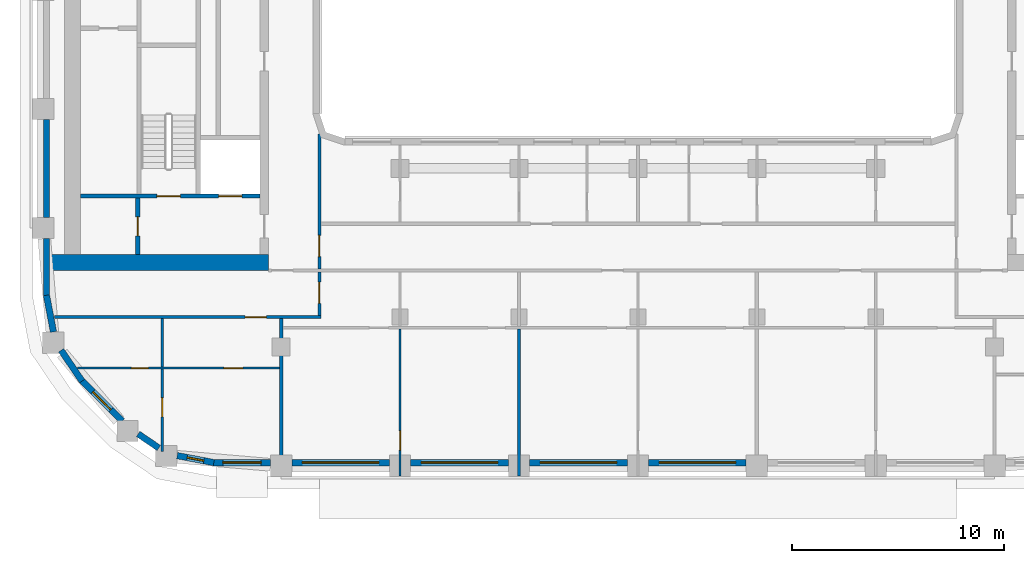
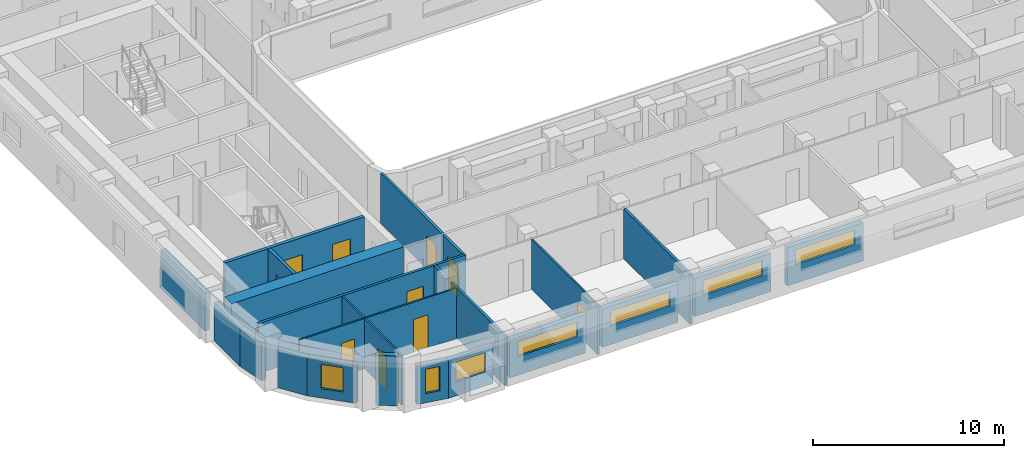
# One storey, part 2 of 22: 24 walls, 10 doors, 7 windows, 17 openings.
"""IFC4 building model written with IfcOpenShell, lengths in metres."""

import ifcopenshell
import ifcopenshell.guid

model = None  # the IFC model being written
_history = None  # IfcOwnerHistory: only IFC2X3 demands one
_inside = {}  # id of a spatial element -> (the spatial element, [elements in it])
_under = {}  # id of a project, library or spatial element -> (it, [spatial elements below it])
_declared = {}  # id of a project -> (the project, [libraries it declares])
_typed = {}  # id of a type object -> (the type object, [elements of that type])
_made_of = {}  # id of a material, layer set ... -> (it, [elements and type objects made of it])


def new_model(schema):
    """Start an empty IFC model of exactly this schema.

    Asked for "IFC4X3", IfcOpenShell would pick the latest addendum, in which some entities
    have other attributes; the version numbers below select the first issue.
    IFC2X3 requires an IfcOwnerHistory on every rooted entity: one is made here for all.
    """
    global model, _history
    if schema == "IFC4X3":
        model = ifcopenshell.file(schema_version=(4, 3, 0, 0))
    else:
        model = ifcopenshell.file(schema=schema)
    _inside.clear()
    _under.clear()
    _declared.clear()
    _typed.clear()
    _made_of.clear()
    _history = None
    if model.schema == "IFC2X3":
        org = make("IfcOrganization", Name="unknown")
        user = make(
            "IfcPersonAndOrganization",
            ThePerson=make("IfcPerson", FamilyName="unknown"),
            TheOrganization=org,
        )
        app = make(
            "IfcApplication",
            ApplicationDeveloper=org,
            Version="unknown",
            ApplicationFullName="unknown",
            ApplicationIdentifier="unknown",
        )
        _history = make(
            "IfcOwnerHistory",
            OwningUser=user,
            OwningApplication=app,
            ChangeAction="ADDED",
            CreationDate=0,
        )
    return model


def make(cls, **values):
    """One entity of the class cls with the attributes given. An attribute that is None is left unset."""
    return model.create_entity(
        cls, **{name: value for name, value in values.items() if value is not None}
    )


def rooted(cls, **values):
    """An entity with a GlobalId (a new one), such as an element, a storey or a relation."""
    return make(cls, GlobalId=ifcopenshell.guid.new(), OwnerHistory=_history, **values)


def si_unit(unit_type, name, prefix=None):
    """IfcSIUnit, for example si_unit("LENGTHUNIT", "METRE", prefix="MILLI")."""
    return make("IfcSIUnit", UnitType=unit_type, Prefix=prefix, Name=name)


def assignment(units):
    """IfcUnitAssignment: the units of a project."""
    return None if units is None else make("IfcUnitAssignment", Units=units)


def point(xyz):
    """IfcCartesianPoint."""
    return None if xyz is None else make("IfcCartesianPoint", Coordinates=xyz)


def direction(xyz):
    """IfcDirection."""
    return None if xyz is None else make("IfcDirection", DirectionRatios=xyz)


def frame(location, z_axis=None, x_axis=None):
    """IfcAxis2Placement3D, a coordinate frame: its origin and axes. An axis left out is left unset."""
    return make(
        "IfcAxis2Placement3D",
        Location=point(location),
        Axis=direction(z_axis),
        RefDirection=direction(x_axis),
    )


def frame_2d(location, x_axis=None):
    """IfcAxis2Placement2D, a coordinate frame in the plane: its origin and x axis."""
    return make(
        "IfcAxis2Placement2D", Location=point(location), RefDirection=direction(x_axis)
    )


def origin():
    """The frame at (0, 0, 0) with its axes left unset."""
    return frame((0.0, 0.0, 0.0))


def place(relative_to, where):
    """IfcLocalPlacement: puts the frame where relative to a parent placement (None: the world)."""
    return make(
        "IfcLocalPlacement", PlacementRelTo=relative_to, RelativePlacement=where
    )


def context(
    kind, dimensions, precision=None, world=None, true_north=None, identifier=None
):
    """IfcGeometricRepresentationContext, for example the 3D "Model" context."""
    return make(
        "IfcGeometricRepresentationContext",
        ContextIdentifier=identifier,
        ContextType=kind,
        CoordinateSpaceDimension=dimensions,
        Precision=precision,
        WorldCoordinateSystem=world,
        TrueNorth=true_north,
    )


def subcontext(parent, identifier, kind, view, scale=None):
    """IfcGeometricRepresentationSubContext, for example "Body" below "Model"."""
    return make(
        "IfcGeometricRepresentationSubContext",
        ContextIdentifier=identifier,
        ContextType=kind,
        ParentContext=parent,
        TargetScale=scale,
        TargetView=view,
    )


def project(units=None, contexts=None):
    """IfcProject with its units and contexts."""
    return rooted(
        "IfcProject",
        Name="project",
        RepresentationContexts=contexts,
        UnitsInContext=assignment(units),
    )


def spatial(cls, under=None, at=None, **own):
    """A site, building, storey or space (cls), placed at a placement, below another one or the project."""
    s = rooted(cls, ObjectPlacement=at, **own)
    if under is not None:
        _under.setdefault(under.id(), (under, []))[1].append(s)
    return s


def profile(cls, at=None, kind="AREA", **sizes):
    """A parametric profile (cls). Its sizes go by their IFC names, for example OverallWidth=200.0."""
    return make(cls, ProfileType=kind, Position=at, **sizes)


def rectangle(**sizes):
    """IfcRectangleProfileDef."""
    return profile("IfcRectangleProfileDef", **sizes)


def extrude(swept, where, along, depth):
    """IfcExtrudedAreaSolid: the profile swept, set in the frame where, extruded along a direction by depth."""
    return make(
        "IfcExtrudedAreaSolid",
        SweptArea=swept,
        Position=where,
        ExtrudedDirection=direction(along),
        Depth=depth,
    )


def shape(context_of_items, identifier, shape_type, items):
    """IfcShapeRepresentation: the items that make up one representation, for example the "Body"."""
    return make(
        "IfcShapeRepresentation",
        ContextOfItems=context_of_items,
        RepresentationIdentifier=identifier,
        RepresentationType=shape_type,
        Items=items,
    )


def material(Name=None, Category=None):
    """IfcMaterial."""
    return make("IfcMaterial", Name=Name, Category=Category)


def layer(
    of_material, thickness, ventilated=None, Name=None, Category=None, Priority=None
):
    """IfcMaterialLayer: one layer of a wall or slab, of a material (None: an air gap)."""
    return make(
        "IfcMaterialLayer",
        Material=of_material,
        LayerThickness=thickness,
        IsVentilated=ventilated,
        Name=Name,
        Category=Category,
        Priority=Priority,
    )


def layer_set(layers, Name=None):
    """IfcMaterialLayerSet."""
    return make("IfcMaterialLayerSet", MaterialLayers=layers, LayerSetName=Name)


def made_of(thing, what):
    """Note that an element or type object is made of a material, layer set ...; save() writes the relation."""
    if what is not None:
        _made_of.setdefault(what.id(), (what, []))[1].append(thing)
    return thing


def type_object(cls, material=None, **own):
    """A type object (cls), such as IfcWallType, which elements share."""
    return made_of(rooted(cls, **own), material)


def element(
    cls,
    number,
    at=None,
    inside=None,
    cuts=None,
    type_object=None,
    material=None,
    context=None,
    identifier="Body",
    shape_type=None,
    held_by="IfcProductDefinitionShape",
    body=None,
    shapes=None,
    **own,
):
    """One element of the class cls, such as IfcWall. Its Tag is "e" and its number.

    at: its placement. inside: the storey or other place that contains it. cuts: it is an
    opening in that element (IfcRelVoidsElement). A single representation is given by context,
    identifier, shape_type and body (its items); several are given by shapes. held_by: the class
    of the entity that holds the representations. save() writes the other relations.
    """
    e = rooted(cls, Tag="e%d" % number, ObjectPlacement=at, **own)
    if body is not None:
        shapes = [shape(context, identifier, shape_type, body)]
    if shapes is not None:
        e.Representation = make(held_by, Representations=shapes)
    if inside is not None:
        _inside.setdefault(inside.id(), (inside, []))[1].append(e)
    if cuts is not None:
        rooted(
            "IfcRelVoidsElement", RelatingBuildingElement=cuts, RelatedOpeningElement=e
        )
    if type_object is not None:
        _typed.setdefault(type_object.id(), (type_object, []))[1].append(e)
    return made_of(e, material)


def fill(opening, filler):
    """IfcRelFillsElement: the door or window that sits in an opening."""
    return rooted(
        "IfcRelFillsElement",
        RelatingOpeningElement=opening,
        RelatedBuildingElement=filler,
    )


def aggregate(whole, parts):
    """IfcRelAggregates: a whole, such as a stair, and the parts it consists of."""
    return rooted("IfcRelAggregates", RelatingObject=whole, RelatedObjects=parts)


def save(model, path):
    """Write the relations noted so far, then the file.

    IfcRelAggregates (storeys below a building ...), IfcRelContainedInSpatialStructure (elements
    in a storey), IfcRelDefinesByType, IfcRelAssociatesMaterial and IfcRelDeclares: one each for
    every whole, place, type object, material and project.
    """
    for whole, parts in _under.values():
        aggregate(whole, parts)
    for where, things in _inside.values():
        rooted(
            "IfcRelContainedInSpatialStructure",
            RelatedElements=things,
            RelatingStructure=where,
        )
    for kind, things in _typed.values():
        rooted("IfcRelDefinesByType", RelatedObjects=things, RelatingType=kind)
    for what, things in _made_of.values():
        rooted("IfcRelAssociatesMaterial", RelatedObjects=things, RelatingMaterial=what)
    for by, libraries in _declared.values():
        rooted("IfcRelDeclares", RelatingContext=by, RelatedDefinitions=libraries)
    model.write(path)


model = new_model("IFC4")

# Units and contexts
model_context = context("Model", 3, precision=1e-05, world=origin(), true_north=direction((0.0, 1.0)))
body_context = subcontext(model_context, "Body", "Model", "MODEL_VIEW")
ifc_project = project(units=[si_unit("LENGTHUNIT", "METRE"), si_unit("AREAUNIT", "SQUARE_METRE"), si_unit("VOLUMEUNIT", "CUBIC_METRE"), si_unit("PLANEANGLEUNIT", "RADIAN"), si_unit("MASSUNIT", "GRAM", prefix="KILO")], contexts=[model_context])

# Site, building, storey
site_placement = place(None, origin())
site = spatial("IfcSite", under=ifc_project, at=site_placement, CompositionType="ELEMENT")
building_placement = place(site_placement, origin())
building = spatial("IfcBuilding", under=site, at=building_placement, Name="Kiln Ring Residences", CompositionType="ELEMENT")
storey_placement = place(building_placement, frame((0.0, 0.0, 171.10009765625)))
storey = spatial("IfcBuildingStorey", under=building, at=storey_placement, Name="L44", CompositionType="ELEMENT", Elevation=171.10009765625)

# Wall, opening, door
ifc_material_1 = material(Name="Gypsum board on steel studs", Category="steel")
ifc_layer_1 = layer(ifc_material_1, 0.199951171875)
ifc_layer_set_1 = layer_set([ifc_layer_1], Name="CORE-PARTITION-200")
wall_type_1 = type_object("IfcWallType", Name="CORE-PARTITION-200", PredefinedType="PARTITIONING", material=ifc_layer_set_1)
wall_1_placement = place(storey_placement, frame((-23.550048828125, -12.449951171875, 0.0), z_axis=(0.0, 0.0, 1.0), x_axis=(0.0, 1.0, 0.0)))
wall_1 = element("IfcWall", 1, at=wall_1_placement, inside=storey, type_object=wall_type_1, Name="Core partition west L44 5", PredefinedType="PARTITIONING", context=body_context, shape_type="SweptSolid", body=[
    extrude(rectangle(XDim=2.64990234375, YDim=0.199951171875, at=frame_2d((1.324951171875, 0.0))), origin(), (0.0, 0.0, 1.0), 3.199951171875),
])
opening_1_placement = place(wall_1_placement, frame((0.875, 0.0, 0.0)))
opening_1 = element("IfcOpeningElement", 2, at=opening_1_placement, cuts=wall_1, Name="Opening L44-CW10", PredefinedType="OPENING", context=body_context, shape_type="SweptSolid", body=[
    extrude(rectangle(XDim=0.89990234375, YDim=2.10009765625, at=frame_2d((0.449951171875, 1.050048828125))), frame((0.0, 0.10986328125, 0.0), z_axis=(0.0, -1.0, 0.0), x_axis=(1.0, 0.0, 0.0)), (0.0, 0.0, 1.0), 0.219970703125),
])
ifc_material_2 = material(Name="Steel door leaf", Category="steel")
door_type_1 = type_object("IfcDoorType", Name="CORE-DOOR-ROOM", OperationType="SINGLE_SWING_LEFT", PredefinedType="DOOR", material=ifc_material_2)
door_1_placement = place(opening_1_placement, origin())
door_1 = element("IfcDoor", 3, at=door_1_placement, inside=storey, type_object=door_type_1, Name="Store L44-CW10", OperationType="SINGLE_SWING_RIGHT", OverallHeight=2.10009765625, OverallWidth=0.89990234375, PredefinedType="DOOR", context=body_context, shape_type="SweptSolid", body=[
    extrude(rectangle(XDim=0.89990234375, YDim=2.10009765625, at=frame_2d((0.449951171875, 1.050048828125))), frame((0.0, 0.02490234375, 0.0), z_axis=(0.0, -1.0, 0.0), x_axis=(1.0, 0.0, 0.0)), (0.0, 0.0, 1.0), 0.050048828125),
])
fill(opening_1, door_1)

# Wall, openings, doors
ifc_material_3 = material(Name="Concrete C40/50", Category="concrete")
ifc_layer_2 = layer(ifc_material_3, 0.199951171875)
ifc_layer_set_2 = layer_set([ifc_layer_2], Name="CORE-WALL-RC200")
wall_type_2 = type_object("IfcWallType", Name="CORE-WALL-RC200", PredefinedType="SHEAR", material=ifc_layer_set_2)
wall_2_placement = place(storey_placement, frame((-17.800048828125, -9.699951171875, 0.0), z_axis=(0.0, 0.0, 1.0), x_axis=(-1.0, 0.0, 0.0)))
wall_2 = element("IfcWall", 4, at=wall_2_placement, inside=storey, type_object=wall_type_2, Name="Core wall west L44 8", PredefinedType="SHEAR", context=body_context, shape_type="SweptSolid", body=[
    extrude(rectangle(XDim=8.449951171875, YDim=0.199951171875, at=frame_2d((4.22509765625, 0.0))), origin(), (0.0, 0.0, 1.0), 3.199951171875),
])
opening_2_placement = place(wall_2_placement, frame((0.85009765625, 0.0, 0.0)))
opening_2 = element("IfcOpeningElement", 5, at=opening_2_placement, cuts=wall_2, Name="Opening L44-CW01", PredefinedType="OPENING", context=body_context, shape_type="SweptSolid", body=[
    extrude(rectangle(XDim=1.10009765625, YDim=2.10009765625, at=frame_2d((0.550048828125, 1.050048828125))), frame((0.0, 0.10986328125, 0.0), z_axis=(0.0, -1.0, 0.0), x_axis=(1.0, 0.0, 0.0)), (0.0, 0.0, 1.0), 0.219970703125),
])
opening_3_placement = place(wall_2_placement, frame((3.75, 0.0, 0.0)))
opening_3 = element("IfcOpeningElement", 6, at=opening_3_placement, cuts=wall_2, Name="Opening L44-CW12", PredefinedType="OPENING", context=body_context, shape_type="SweptSolid", body=[
    extrude(rectangle(XDim=1.10009765625, YDim=2.10009765625, at=frame_2d((0.550048828125, 1.050048828125))), frame((0.0, 0.10986328125, 0.0), z_axis=(0.0, -1.0, 0.0), x_axis=(1.0, 0.0, 0.0)), (0.0, 0.0, 1.0), 0.219970703125),
])
ifc_material_4 = material(Name="Steel door leaf", Category="steel")
door_type_2 = type_object("IfcDoorType", Name="CORE-DOOR-LD", OperationType="DOUBLE_DOOR_SLIDING", PredefinedType="DOOR", material=ifc_material_4)
door_2_placement = place(opening_2_placement, origin())
door_2 = element("IfcDoor", 7, at=door_2_placement, inside=storey, type_object=door_type_2, Name="LD W-SV L44-CW01", OperationType="DOUBLE_DOOR_SLIDING", OverallHeight=2.10009765625, OverallWidth=1.10009765625, PredefinedType="DOOR", context=body_context, shape_type="SweptSolid", body=[
    extrude(rectangle(XDim=1.10009765625, YDim=2.10009765625, at=frame_2d((0.550048828125, 1.050048828125))), frame((0.0, 0.02490234375, 0.0), z_axis=(0.0, -1.0, 0.0), x_axis=(1.0, 0.0, 0.0)), (0.0, 0.0, 1.0), 0.050048828125),
])
fill(opening_2, door_2)
ifc_material_5 = material(Name="Steel door leaf", Category="steel")
door_type_3 = type_object("IfcDoorType", Name="CORE-DOOR-STAIR", OperationType="SINGLE_SWING_LEFT", PredefinedType="DOOR", material=ifc_material_5)
door_3_placement = place(opening_3_placement, origin())
door_3 = element("IfcDoor", 8, at=door_3_placement, inside=storey, type_object=door_type_3, Name="Stair W-STS L44-CW12", OperationType="SINGLE_SWING_LEFT", OverallHeight=2.10009765625, OverallWidth=1.10009765625, PredefinedType="DOOR", context=body_context, shape_type="SweptSolid", body=[
    extrude(rectangle(XDim=1.10009765625, YDim=2.10009765625, at=frame_2d((0.550048828125, 1.050048828125))), frame((0.0, 0.02490234375, 0.0), z_axis=(0.0, -1.0, 0.0), x_axis=(1.0, 0.0, 0.0)), (0.0, 0.0, 1.0), 0.050048828125),
])
fill(opening_3, door_3)

# Wall
ifc_material_6 = material(Name="Concrete C60/75", Category="concrete")
ifc_layer_3 = layer(ifc_material_6, 0.75)
ifc_layer_set_3 = layer_set([ifc_layer_3], Name="CORE-WALL-RC750")
wall_type_3 = type_object("IfcWallType", Name="CORE-WALL-RC750", PredefinedType="SHEAR", material=ifc_layer_set_3)
wall_3_placement = place(storey_placement, frame((-17.39990234375, -12.824951171875, 0.0), z_axis=(0.0, 0.0, 1.0), x_axis=(-1.0, 0.0, 0.0)))
element("IfcWall", 9, at=wall_3_placement, inside=storey, type_object=wall_type_3, Name="Core wall west L44 5", PredefinedType="SHEAR", context=body_context, shape_type="SweptSolid", body=[
    extrude(rectangle(XDim=10.400146484375, YDim=0.75, at=frame_2d((5.2001953125, 0.0))), origin(), (0.0, 0.0, 1.0), 3.199951171875),
])

# Wall, opening, window
ifc_material_7 = material(Name="Brick masonry, dark clay brick", Category="masonry")
ifc_layer_4 = layer(ifc_material_7, 0.300048828125)
ifc_layer_set_4 = layer_set([ifc_layer_4], Name="EW-300 BRICK WALL")
wall_type_4 = type_object("IfcWallType", Name="EW-300 BRICK WALL", PredefinedType="SOLIDWALL", material=ifc_layer_set_4)
wall_4_placement = place(storey_placement, frame((-26.19677734375, -18.390869140625, 0.0), z_axis=(0.0, 0.0, 1.0), x_axis=(0.707061571201, -0.707151988282, 0.0)))
wall_4 = element("IfcWall", 10, at=wall_4_placement, inside=storey, type_object=wall_type_4, Name="Facade wall L44 1", PredefinedType="SOLIDWALL", context=body_context, shape_type="SweptSolid", body=[
    extrude(rectangle(XDim=2.7001953125, YDim=0.300048828125, at=frame_2d((1.35009765625, 0.0))), origin(), (0.0, 0.0, 1.0), 2.449951171875),
])
opening_4_placement = place(wall_4_placement, frame((0.75, 0.0, 0.60009765625)))
opening_4 = element("IfcOpeningElement", 11, at=opening_4_placement, cuts=wall_4, Name="Opening W1", PredefinedType="OPENING", context=body_context, shape_type="SweptSolid", body=[
    extrude(rectangle(XDim=1.199951171875, YDim=1.550048828125, at=frame_2d((0.60009765625, 0.77490234375))), frame((0.0, 0.159912109375, 0.0), z_axis=(0.0, -1.0, 0.0), x_axis=(1.0, 0.0, 0.0)), (0.0, 0.0, 1.0), 0.320068359375),
])
ifc_material_8 = material(Name="Aluminium frame with double glazing", Category="aluminium")
window_type_1 = type_object("IfcWindowType", Name="WINDOW 1200 x 1550", PartitioningType="SINGLE_PANEL", PredefinedType="WINDOW", material=ifc_material_8)
window_1_placement = place(opening_4_placement, origin())
window_1 = element("IfcWindow", 12, at=window_1_placement, inside=storey, type_object=window_type_1, Name="Window L44 1", OverallHeight=1.550048828125, OverallWidth=1.199951171875, PartitioningType="SINGLE_PANEL", PredefinedType="WINDOW", context=body_context, shape_type="SweptSolid", body=[
    extrude(rectangle(XDim=1.199951171875, YDim=1.550048828125, at=frame_2d((0.60009765625, 0.77490234375))), frame((0.0, 0.030029296875, 0.0), z_axis=(0.0, -1.0, 0.0), x_axis=(1.0, 0.0, 0.0)), (0.0, 0.0, 1.0), 0.06005859375),
])
fill(opening_4, window_1)

# Wall
wall_5_placement = place(storey_placement, frame((-23.533935546875, -20.904296875, 0.0), z_axis=(0.0, 0.0, 1.0), x_axis=(0.827103906596, -0.56204904385, 0.0)))
element("IfcWall", 13, at=wall_5_placement, inside=storey, type_object=wall_type_4, Name="Facade wall L44 2", PredefinedType="SOLIDWALL", context=body_context, shape_type="SweptSolid", body=[
    extrude(rectangle(XDim=1.17724609375, YDim=0.300048828125, at=frame_2d((0.588623046875, 0.0))), origin(), (0.0, 0.0, 1.0), 3.199951171875),
])

# Wall, opening, window
wall_6_placement = place(storey_placement, frame((-21.697021484375, -21.923583984375, 0.0), z_axis=(0.0, 0.0, 1.0), x_axis=(0.982284988433, -0.187393173565, 0.0)))
wall_6 = element("IfcWall", 14, at=wall_6_placement, inside=storey, type_object=wall_type_4, Name="Facade wall L44 3", PredefinedType="SOLIDWALL", context=body_context, shape_type="SweptSolid", body=[
    extrude(rectangle(XDim=1.756103515625, YDim=0.300048828125, at=frame_2d((0.8779296875, 0.0))), origin(), (0.0, 0.0, 1.0), 2.449951171875),
])
opening_5_placement = place(wall_6_placement, frame((0.47802734375, 0.0, 0.60009765625)))
opening_5 = element("IfcOpeningElement", 15, at=opening_5_placement, cuts=wall_6, Name="Opening W5", PredefinedType="OPENING", context=body_context, shape_type="SweptSolid", body=[
    extrude(rectangle(XDim=0.800048828125, YDim=1.550048828125, at=frame_2d((0.39990234375, 0.77490234375))), frame((0.0, 0.159912109375, 0.0), z_axis=(0.0, -1.0, 0.0), x_axis=(1.0, 0.0, 0.0)), (0.0, 0.0, 1.0), 0.320068359375),
])
ifc_material_9 = material(Name="Aluminium frame with double glazing", Category="aluminium")
window_type_2 = type_object("IfcWindowType", Name="WINDOW 800 x 1550", PartitioningType="SINGLE_PANEL", PredefinedType="WINDOW", material=ifc_material_9)
window_2_placement = place(opening_5_placement, origin())
window_2 = element("IfcWindow", 16, at=window_2_placement, inside=storey, type_object=window_type_2, Name="Window L44 2", OverallHeight=1.550048828125, OverallWidth=0.800048828125, PartitioningType="SINGLE_PANEL", PredefinedType="WINDOW", context=body_context, shape_type="SweptSolid", body=[
    extrude(rectangle(XDim=0.800048828125, YDim=1.550048828125, at=frame_2d((0.39990234375, 0.77490234375))), frame((0.0, 0.030029296875, 0.0), z_axis=(0.0, -1.0, 0.0), x_axis=(1.0, 0.0, 0.0)), (0.0, 0.0, 1.0), 0.06005859375),
])
fill(opening_5, window_2)

wall_7_placement = place(storey_placement, frame((-20.0, -22.25, 0.0), z_axis=(0.0, 0.0, 1.0), x_axis=(1.0, 0.0, 0.0)))
wall_7 = element("IfcWall", 17, at=wall_7_placement, inside=storey, type_object=wall_type_4, Name="Facade wall L44 4", PredefinedType="SOLIDWALL", context=body_context, shape_type="SweptSolid", body=[
    extrude(rectangle(XDim=2.699951171875, YDim=0.300048828125, at=frame_2d((1.35009765625, 0.0))), origin(), (0.0, 0.0, 1.0), 2.449951171875),
])
opening_6_placement = place(wall_7_placement, frame((0.449951171875, 0.0, 0.89990234375)))
opening_6 = element("IfcOpeningElement", 18, at=opening_6_placement, cuts=wall_7, Name="Opening W2", PredefinedType="OPENING", context=body_context, shape_type="SweptSolid", body=[
    extrude(rectangle(XDim=1.800048828125, YDim=1.25, at=frame_2d((0.89990234375, 0.625))), frame((0.0, 0.159912109375, 0.0), z_axis=(0.0, -1.0, 0.0), x_axis=(1.0, 0.0, 0.0)), (0.0, 0.0, 1.0), 0.320068359375),
])
ifc_material_10 = material(Name="Aluminium frame with double glazing", Category="aluminium")
window_type_3 = type_object("IfcWindowType", Name="WINDOW 1800 x 1250", PartitioningType="SINGLE_PANEL", PredefinedType="WINDOW", material=ifc_material_10)
window_3_placement = place(opening_6_placement, origin())
window_3 = element("IfcWindow", 19, at=window_3_placement, inside=storey, type_object=window_type_3, Name="Window L44 3", OverallHeight=1.25, OverallWidth=1.800048828125, PartitioningType="SINGLE_PANEL", PredefinedType="WINDOW", context=body_context, shape_type="SweptSolid", body=[
    extrude(rectangle(XDim=1.800048828125, YDim=1.25, at=frame_2d((0.89990234375, 0.625))), frame((0.0, 0.030029296875, 0.0), z_axis=(0.0, -1.0, 0.0), x_axis=(1.0, 0.0, 0.0)), (0.0, 0.0, 1.0), 0.06005859375),
])
fill(opening_6, window_3)

wall_8_placement = place(storey_placement, frame((-16.300048828125, -22.25, 0.0), z_axis=(0.0, 0.0, 1.0), x_axis=(1.0, 0.0, 0.0)))
wall_8 = element("IfcWall", 20, at=wall_8_placement, inside=storey, type_object=wall_type_4, Name="Facade wall L44 5", PredefinedType="SOLIDWALL", context=body_context, shape_type="SweptSolid", body=[
    extrude(rectangle(XDim=4.60009765625, YDim=0.300048828125, at=frame_2d((2.300048828125, 0.0))), origin(), (0.0, 0.0, 1.0), 2.449951171875),
])
opening_7_placement = place(wall_8_placement, frame((0.5, 0.0, 1.199951171875)))
opening_7 = element("IfcOpeningElement", 21, at=opening_7_placement, cuts=wall_8, Name="Opening W4", PredefinedType="OPENING", context=body_context, shape_type="SweptSolid", body=[
    extrude(rectangle(XDim=3.60009765625, YDim=0.949951171875, at=frame_2d((1.800048828125, 0.47509765625))), frame((0.0, 0.159912109375, 0.0), z_axis=(0.0, -1.0, 0.0), x_axis=(1.0, 0.0, 0.0)), (0.0, 0.0, 1.0), 0.320068359375),
])
ifc_material_11 = material(Name="Aluminium frame with double glazing", Category="aluminium")
window_type_4 = type_object("IfcWindowType", Name="WINDOW 3600 x 950", PartitioningType="SINGLE_PANEL", PredefinedType="WINDOW", material=ifc_material_11)
window_4_placement = place(opening_7_placement, origin())
window_4 = element("IfcWindow", 22, at=window_4_placement, inside=storey, type_object=window_type_4, Name="Window L44 4", OverallHeight=0.949951171875, OverallWidth=3.60009765625, PartitioningType="SINGLE_PANEL", PredefinedType="WINDOW", context=body_context, shape_type="SweptSolid", body=[
    extrude(rectangle(XDim=3.60009765625, YDim=0.949951171875, at=frame_2d((1.800048828125, 0.47509765625))), frame((0.0, 0.030029296875, 0.0), z_axis=(0.0, -1.0, 0.0), x_axis=(1.0, 0.0, 0.0)), (0.0, 0.0, 1.0), 0.06005859375),
])
fill(opening_7, window_4)

wall_9_placement = place(storey_placement, frame((-10.699951171875, -22.25, 0.0), z_axis=(0.0, 0.0, 1.0), x_axis=(1.0, 0.0, 0.0)))
wall_9 = element("IfcWall", 23, at=wall_9_placement, inside=storey, type_object=wall_type_4, Name="Facade wall L44 6", PredefinedType="SOLIDWALL", context=body_context, shape_type="SweptSolid", body=[
    extrude(rectangle(XDim=4.599853515625, YDim=0.300048828125, at=frame_2d((2.2998046875, 0.0))), origin(), (0.0, 0.0, 1.0), 2.449951171875),
])
opening_8_placement = place(wall_9_placement, frame((0.5, 0.0, 1.199951171875)))
opening_8 = element("IfcOpeningElement", 24, at=opening_8_placement, cuts=wall_9, Name="Opening W4", PredefinedType="OPENING", context=body_context, shape_type="SweptSolid", body=[
    extrude(rectangle(XDim=3.60009765625, YDim=0.949951171875, at=frame_2d((1.800048828125, 0.47509765625))), frame((0.0, 0.159912109375, 0.0), z_axis=(0.0, -1.0, 0.0), x_axis=(1.0, 0.0, 0.0)), (0.0, 0.0, 1.0), 0.320068359375),
])
window_5_placement = place(opening_8_placement, origin())
window_5 = element("IfcWindow", 25, at=window_5_placement, inside=storey, type_object=window_type_4, Name="Window L44 5", OverallHeight=0.949951171875, OverallWidth=3.60009765625, PartitioningType="SINGLE_PANEL", PredefinedType="WINDOW", context=body_context, shape_type="SweptSolid", body=[
    extrude(rectangle(XDim=3.60009765625, YDim=0.949951171875, at=frame_2d((1.800048828125, 0.47509765625))), frame((0.0, 0.030029296875, 0.0), z_axis=(0.0, -1.0, 0.0), x_axis=(1.0, 0.0, 0.0)), (0.0, 0.0, 1.0), 0.06005859375),
])
fill(opening_8, window_5)

wall_10_placement = place(storey_placement, frame((-5.10009765625, -22.25, 0.0), z_axis=(0.0, 0.0, 1.0), x_axis=(1.0, 0.0, 0.0)))
wall_10 = element("IfcWall", 26, at=wall_10_placement, inside=storey, type_object=wall_type_4, Name="Facade wall L44 7", PredefinedType="SOLIDWALL", context=body_context, shape_type="SweptSolid", body=[
    extrude(rectangle(XDim=4.60009765625, YDim=0.300048828125, at=frame_2d((2.300048828125, 0.0))), origin(), (0.0, 0.0, 1.0), 2.449951171875),
])
opening_9_placement = place(wall_10_placement, frame((0.5, 0.0, 1.199951171875)))
opening_9 = element("IfcOpeningElement", 27, at=opening_9_placement, cuts=wall_10, Name="Opening W4", PredefinedType="OPENING", context=body_context, shape_type="SweptSolid", body=[
    extrude(rectangle(XDim=3.60009765625, YDim=0.949951171875, at=frame_2d((1.800048828125, 0.47509765625))), frame((0.0, 0.159912109375, 0.0), z_axis=(0.0, -1.0, 0.0), x_axis=(1.0, 0.0, 0.0)), (0.0, 0.0, 1.0), 0.320068359375),
])
window_6_placement = place(opening_9_placement, origin())
window_6 = element("IfcWindow", 28, at=window_6_placement, inside=storey, type_object=window_type_4, Name="Window L44 6", OverallHeight=0.949951171875, OverallWidth=3.60009765625, PartitioningType="SINGLE_PANEL", PredefinedType="WINDOW", context=body_context, shape_type="SweptSolid", body=[
    extrude(rectangle(XDim=3.60009765625, YDim=0.949951171875, at=frame_2d((1.800048828125, 0.47509765625))), frame((0.0, 0.030029296875, 0.0), z_axis=(0.0, -1.0, 0.0), x_axis=(1.0, 0.0, 0.0)), (0.0, 0.0, 1.0), 0.06005859375),
])
fill(opening_9, window_6)

wall_11_placement = place(storey_placement, frame((0.5, -22.25, 0.0), z_axis=(0.0, 0.0, 1.0), x_axis=(1.0, 0.0, 0.0)))
wall_11 = element("IfcWall", 29, at=wall_11_placement, inside=storey, type_object=wall_type_4, Name="Facade wall L44 8", PredefinedType="SOLIDWALL", context=body_context, shape_type="SweptSolid", body=[
    extrude(rectangle(XDim=4.60009765625, YDim=0.300048828125, at=frame_2d((2.300048828125, 0.0))), origin(), (0.0, 0.0, 1.0), 2.449951171875),
])
opening_10_placement = place(wall_11_placement, frame((0.5, 0.0, 1.199951171875)))
opening_10 = element("IfcOpeningElement", 30, at=opening_10_placement, cuts=wall_11, Name="Opening W4", PredefinedType="OPENING", context=body_context, shape_type="SweptSolid", body=[
    extrude(rectangle(XDim=3.60009765625, YDim=0.949951171875, at=frame_2d((1.800048828125, 0.47509765625))), frame((0.0, 0.159912109375, 0.0), z_axis=(0.0, -1.0, 0.0), x_axis=(1.0, 0.0, 0.0)), (0.0, 0.0, 1.0), 0.320068359375),
])
window_7_placement = place(opening_10_placement, origin())
window_7 = element("IfcWindow", 31, at=window_7_placement, inside=storey, type_object=window_type_4, Name="Window L44 7", OverallHeight=0.949951171875, OverallWidth=3.60009765625, PartitioningType="SINGLE_PANEL", PredefinedType="WINDOW", context=body_context, shape_type="SweptSolid", body=[
    extrude(rectangle(XDim=3.60009765625, YDim=0.949951171875, at=frame_2d((1.800048828125, 0.47509765625))), frame((0.0, 0.030029296875, 0.0), z_axis=(0.0, -1.0, 0.0), x_axis=(1.0, 0.0, 0.0)), (0.0, 0.0, 1.0), 0.06005859375),
])
fill(opening_10, window_7)

# Walls
wall_12_placement = place(storey_placement, frame((-27.85009765625, -6.10009765625, 0.0), z_axis=(0.0, 0.0, 1.0), x_axis=(0.0, -1.0, 0.0)))
element("IfcWall", 32, at=wall_12_placement, inside=storey, type_object=wall_type_4, Name="Facade wall L44 45", PredefinedType="SOLIDWALL", context=body_context, shape_type="SweptSolid", body=[
    extrude(rectangle(XDim=4.599853515625, YDim=0.300048828125, at=frame_2d((2.2998046875, 0.0))), origin(), (0.0, 0.0, 1.0), 2.449951171875),
])
wall_13_placement = place(storey_placement, frame((-27.85009765625, -11.699951171875, 0.0), z_axis=(0.0, 0.0, 1.0), x_axis=(0.0, -1.0, 0.0)))
element("IfcWall", 33, at=wall_13_placement, inside=storey, type_object=wall_type_4, Name="Facade wall L44 46", PredefinedType="SOLIDWALL", context=body_context, shape_type="SweptSolid", body=[
    extrude(rectangle(XDim=2.699951171875, YDim=0.300048828125, at=frame_2d((1.35009765625, 0.0))), origin(), (0.0, 0.0, 1.0), 2.449951171875),
])
for number, where, z_axis, x_axis, name in (
    (34, (-27.8525390625, -14.371826171875, 0.0), (0.0, 0.0, 1.0), (0.187259034321, -0.982310569049, 0.0), "Facade wall L44 47"),
    (35, (-27.166015625, -16.96044921875, 0.0), (0.0, 0.0, 1.0), (0.562089443061, -0.82707645233, 0.0), "Facade wall L44 48"),
):
    element("IfcWall", number, at=place(storey_placement, frame(where, z_axis=z_axis, x_axis=x_axis)), inside=storey, type_object=wall_type_4, Name=name, PredefinedType="SOLIDWALL", context=body_context, shape_type="SweptSolid", body=[
        extrude(rectangle(XDim=1.756103515625, YDim=0.300048828125, at=frame_2d((0.8779296875, 0.0))), origin(), (0.0, 0.0, 1.0), 2.449951171875),
    ])

# Wall, openings, doors
ifc_material_12 = material(Name="Gypsum board on steel studs", Category="steel")
ifc_layer_5 = layer(ifc_material_12, 0.10009765625)
ifc_layer_set_5 = layer_set([ifc_layer_5], Name="PARTITION-100")
wall_type_5 = type_object("IfcWallType", Name="PARTITION-100", PredefinedType="PARTITIONING", material=ifc_layer_set_5)
wall_14_placement = place(storey_placement, frame((-26.39404296875, -17.800048828125, 0.0), z_axis=(0.0, 0.0, 1.0), x_axis=(1.0, 0.0, 0.0)))
wall_14 = element("IfcWall", 36, at=wall_14_placement, inside=storey, type_object=wall_type_5, Name="Partition 001", PredefinedType="PARTITIONING", context=body_context, shape_type="SweptSolid", body=[
    extrude(rectangle(XDim=9.51904296875, YDim=0.10009765625, at=frame_2d((4.759521484375, 0.0))), origin(), (0.0, 0.0, 1.0), 3.199951171875),
])
opening_11_placement = place(wall_14_placement, frame((2.5439453125, 0.0, 0.0)))
opening_11 = element("IfcOpeningElement", 37, at=opening_11_placement, cuts=wall_14, Name="Opening L44-D069", PredefinedType="OPENING", context=body_context, shape_type="SweptSolid", body=[
    extrude(rectangle(XDim=0.800048828125, YDim=2.10009765625, at=frame_2d((0.39990234375, 1.050048828125))), frame((0.0, 0.06005859375, 0.0), z_axis=(0.0, -1.0, 0.0), x_axis=(1.0, 0.0, 0.0)), (0.0, 0.0, 1.0), 0.1201171875),
])
opening_12_placement = place(wall_14_placement, frame((6.89404296875, 0.0, 0.0)))
opening_12 = element("IfcOpeningElement", 38, at=opening_12_placement, cuts=wall_14, Name="Opening L44-D070", PredefinedType="OPENING", context=body_context, shape_type="SweptSolid", body=[
    extrude(rectangle(XDim=0.89990234375, YDim=2.10009765625, at=frame_2d((0.449951171875, 1.050048828125))), frame((0.0, 0.06005859375, 0.0), z_axis=(0.0, -1.0, 0.0), x_axis=(1.0, 0.0, 0.0)), (0.0, 0.0, 1.0), 0.1201171875),
])
ifc_material_13 = material(Name="Timber door leaf", Category="wood")
door_type_4 = type_object("IfcDoorType", Name="FLAT-DOOR-800-PL", OperationType="SINGLE_SWING_LEFT", PredefinedType="DOOR", material=ifc_material_13)
door_4_placement = place(opening_11_placement, origin())
door_4 = element("IfcDoor", 39, at=door_4_placement, inside=storey, type_object=door_type_4, Name="Door L44-D069", OperationType="SINGLE_SWING_LEFT", OverallHeight=2.10009765625, OverallWidth=0.800048828125, PredefinedType="DOOR", context=body_context, shape_type="SweptSolid", body=[
    extrude(rectangle(XDim=0.800048828125, YDim=2.10009765625, at=frame_2d((0.39990234375, 1.050048828125))), frame((0.0, 0.02490234375, 0.0), z_axis=(0.0, -1.0, 0.0), x_axis=(1.0, 0.0, 0.0)), (0.0, 0.0, 1.0), 0.050048828125),
])
fill(opening_11, door_4)
ifc_material_14 = material(Name="Timber door leaf", Category="wood")
door_type_5 = type_object("IfcDoorType", Name="FLAT-DOOR-900-PL", OperationType="SINGLE_SWING_LEFT", PredefinedType="DOOR", material=ifc_material_14)
door_5_placement = place(opening_12_placement, origin())
door_5 = element("IfcDoor", 40, at=door_5_placement, inside=storey, type_object=door_type_5, Name="Door L44-D070", OperationType="SINGLE_SWING_RIGHT", OverallHeight=2.10009765625, OverallWidth=0.89990234375, PredefinedType="DOOR", context=body_context, shape_type="SweptSolid", body=[
    extrude(rectangle(XDim=0.89990234375, YDim=2.10009765625, at=frame_2d((0.449951171875, 1.050048828125))), frame((0.0, 0.02490234375, 0.0), z_axis=(0.0, -1.0, 0.0), x_axis=(1.0, 0.0, 0.0)), (0.0, 0.0, 1.0), 0.050048828125),
])
fill(opening_12, door_5)

# Wall, opening, door
wall_15_placement = place(storey_placement, frame((-22.39990234375, -21.719970703125, 0.0), z_axis=(0.0, 0.0, 1.0), x_axis=(0.0, 1.0, 0.0)))
wall_15 = element("IfcWall", 41, at=wall_15_placement, inside=storey, type_object=wall_type_5, Name="Partition 014", PredefinedType="PARTITIONING", context=body_context, shape_type="SweptSolid", body=[
    extrude(rectangle(XDim=3.869873046875, YDim=0.10009765625, at=frame_2d((1.93505859375, 0.0))), origin(), (0.0, 0.0, 1.0), 3.199951171875),
])
opening_13_placement = place(wall_15_placement, frame((1.6201171875, 0.0, 0.0)))
opening_13 = element("IfcOpeningElement", 42, at=opening_13_placement, cuts=wall_15, Name="Opening L44-D071", PredefinedType="OPENING", context=body_context, shape_type="SweptSolid", body=[
    extrude(rectangle(XDim=0.89990234375, YDim=2.10009765625, at=frame_2d((0.449951171875, 1.050048828125))), frame((0.0, 0.06005859375, 0.0), z_axis=(0.0, -1.0, 0.0), x_axis=(1.0, 0.0, 0.0)), (0.0, 0.0, 1.0), 0.1201171875),
])
door_6_placement = place(opening_13_placement, origin())
door_6 = element("IfcDoor", 43, at=door_6_placement, inside=storey, type_object=door_type_5, Name="Door L44-D071", OperationType="SINGLE_SWING_LEFT", OverallHeight=2.10009765625, OverallWidth=0.89990234375, PredefinedType="DOOR", context=body_context, shape_type="SweptSolid", body=[
    extrude(rectangle(XDim=0.89990234375, YDim=2.10009765625, at=frame_2d((0.449951171875, 1.050048828125))), frame((0.0, 0.02490234375, 0.0), z_axis=(0.0, -1.0, 0.0), x_axis=(1.0, 0.0, 0.0)), (0.0, 0.0, 1.0), 0.050048828125),
])
fill(opening_13, door_6)

# Wall
wall_16_placement = place(storey_placement, frame((-22.39990234375, -17.75, 0.0), z_axis=(0.0, 0.0, 1.0), x_axis=(0.0, 1.0, 0.0)))
element("IfcWall", 44, at=wall_16_placement, inside=storey, type_object=wall_type_5, Name="Partition 015", PredefinedType="PARTITIONING", context=body_context, shape_type="SweptSolid", body=[
    extrude(rectangle(XDim=2.27490234375, YDim=0.10009765625, at=frame_2d((1.137451171875, 0.0))), origin(), (0.0, 0.0, 1.0), 3.199951171875),
])

# Wall, opening, door
wall_17_placement = place(storey_placement, frame((-11.199951171875, -22.8798828125, 0.0), z_axis=(0.0, 0.0, 1.0), x_axis=(0.0, 1.0, 0.0)))
wall_17 = element("IfcWall", 45, at=wall_17_placement, inside=storey, type_object=wall_type_5, Name="Partition 026", PredefinedType="PARTITIONING", context=body_context, shape_type="SweptSolid", body=[
    extrude(rectangle(XDim=6.929931640625, YDim=0.10009765625, at=frame_2d((3.46484375, 0.0))), origin(), (0.0, 0.0, 1.0), 3.199951171875),
])
opening_14_placement = place(wall_17_placement, frame((1.219970703125, 0.0, 0.0)))
opening_14 = element("IfcOpeningElement", 46, at=opening_14_placement, cuts=wall_17, Name="Opening L44-D055", PredefinedType="OPENING", context=body_context, shape_type="SweptSolid", body=[
    extrude(rectangle(XDim=0.89990234375, YDim=2.10009765625, at=frame_2d((0.449951171875, 1.050048828125))), frame((0.0, 0.06005859375, 0.0), z_axis=(0.0, -1.0, 0.0), x_axis=(1.0, 0.0, 0.0)), (0.0, 0.0, 1.0), 0.1201171875),
])
door_7_placement = place(opening_14_placement, origin())
door_7 = element("IfcDoor", 47, at=door_7_placement, inside=storey, type_object=door_type_5, Name="Door L44-D055", OperationType="SINGLE_SWING_LEFT", OverallHeight=2.10009765625, OverallWidth=0.89990234375, PredefinedType="DOOR", context=body_context, shape_type="SweptSolid", body=[
    extrude(rectangle(XDim=0.89990234375, YDim=2.10009765625, at=frame_2d((0.449951171875, 1.050048828125))), frame((0.0, 0.02490234375, 0.0), z_axis=(0.0, -1.0, 0.0), x_axis=(1.0, 0.0, 0.0)), (0.0, 0.0, 1.0), 0.050048828125),
])
fill(opening_14, door_7)

ifc_material_15 = material(Name="Brick masonry partition", Category="masonry")
ifc_layer_6 = layer(ifc_material_15, 0.14990234375)
ifc_layer_set_6 = layer_set([ifc_layer_6], Name="PARTITION-150-ei60")
wall_type_6 = type_object("IfcWallType", Name="PARTITION-150-ei60", PredefinedType="PARTITIONING", material=ifc_layer_set_6)
wall_18_placement = place(storey_placement, frame((-27.48388671875, -15.39990234375, 0.0), z_axis=(0.0, 0.0, 1.0), x_axis=(1.0, 0.0, 0.0)))
wall_18 = element("IfcWall", 48, at=wall_18_placement, inside=storey, type_object=wall_type_6, Name="Partition 003", PredefinedType="PARTITIONING", context=body_context, shape_type="SweptSolid", body=[
    extrude(rectangle(XDim=12.558837890625, YDim=0.14990234375, at=frame_2d((6.279296875, 0.0))), origin(), (0.0, 0.0, 1.0), 3.199951171875),
])
opening_15_placement = place(wall_18_placement, frame((8.98388671875, 0.0, 0.0)))
opening_15 = element("IfcOpeningElement", 49, at=opening_15_placement, cuts=wall_18, Name="Opening L44-D068", PredefinedType="OPENING", context=body_context, shape_type="SweptSolid", body=[
    extrude(rectangle(XDim=1.0, YDim=2.10009765625, at=frame_2d((0.5, 1.050048828125))), frame((0.0, 0.0849609375, 0.0), z_axis=(0.0, -1.0, 0.0), x_axis=(1.0, 0.0, 0.0)), (0.0, 0.0, 1.0), 0.169921875),
])
ifc_material_16 = material(Name="Steel faced fire door leaf", Category="steel")
door_type_6 = type_object("IfcDoorType", Name="FLAT-DOOR-1000-FR", OperationType="SINGLE_SWING_LEFT", PredefinedType="DOOR", material=ifc_material_16)
door_8_placement = place(opening_15_placement, origin())
door_8 = element("IfcDoor", 50, at=door_8_placement, inside=storey, type_object=door_type_6, Name="Door L44-D068", OperationType="SINGLE_SWING_RIGHT", OverallHeight=2.10009765625, OverallWidth=1.0, PredefinedType="DOOR", context=body_context, shape_type="SweptSolid", body=[
    extrude(rectangle(XDim=1.0, YDim=2.10009765625, at=frame_2d((0.5, 1.050048828125))), frame((0.0, 0.02490234375, 0.0), z_axis=(0.0, -1.0, 0.0), x_axis=(1.0, 0.0, 0.0)), (0.0, 0.0, 1.0), 0.050048828125),
])
fill(opening_15, door_8)

# Wall
wall_19_placement = place(storey_placement, frame((-16.800048828125, -22.8798828125, 0.0), z_axis=(0.0, 0.0, 1.0), x_axis=(0.0, 1.0, 0.0)))
element("IfcWall", 51, at=wall_19_placement, inside=storey, type_object=wall_type_6, Name="Partition 018", PredefinedType="PARTITIONING", context=body_context, shape_type="SweptSolid", body=[
    extrude(rectangle(XDim=7.40478515625, YDim=0.14990234375, at=frame_2d((3.702392578125, 0.0))), origin(), (0.0, 0.0, 1.0), 3.199951171875),
])

# Wall, opening, door
wall_20_placement = place(storey_placement, frame((-15.0, -15.324951171875, 0.0), z_axis=(0.0, 0.0, 1.0), x_axis=(0.0, 1.0, 0.0)))
wall_20 = element("IfcWall", 52, at=wall_20_placement, inside=storey, type_object=wall_type_6, Name="Partition 020", PredefinedType="PARTITIONING", context=body_context, shape_type="SweptSolid", body=[
    extrude(rectangle(XDim=2.050048828125, YDim=0.14990234375, at=frame_2d((1.02490234375, 0.0))), origin(), (0.0, 0.0, 1.0), 3.199951171875),
])
opening_16_placement = place(wall_20_placement, frame((0.573974609375, 0.0, 0.0)))
opening_16 = element("IfcOpeningElement", 53, at=opening_16_placement, cuts=wall_20, Name="Opening L44-D052", PredefinedType="OPENING", context=body_context, shape_type="SweptSolid", body=[
    extrude(rectangle(XDim=1.0, YDim=2.10009765625, at=frame_2d((0.5, 1.050048828125))), frame((0.0, 0.0849609375, 0.0), z_axis=(0.0, -1.0, 0.0), x_axis=(1.0, 0.0, 0.0)), (0.0, 0.0, 1.0), 0.169921875),
])
door_9_placement = place(opening_16_placement, origin())
door_9 = element("IfcDoor", 54, at=door_9_placement, inside=storey, type_object=door_type_6, Name="Door L44-D052", OperationType="SINGLE_SWING_RIGHT", OverallHeight=2.10009765625, OverallWidth=1.0, PredefinedType="DOOR", context=body_context, shape_type="SweptSolid", body=[
    extrude(rectangle(XDim=1.0, YDim=2.10009765625, at=frame_2d((0.5, 1.050048828125))), frame((0.0, 0.02490234375, 0.0), z_axis=(0.0, -1.0, 0.0), x_axis=(1.0, 0.0, 0.0)), (0.0, 0.0, 1.0), 0.050048828125),
])
fill(opening_16, door_9)

wall_21_placement = place(storey_placement, frame((-15.0, -13.125, 0.0), z_axis=(0.0, 0.0, 1.0), x_axis=(0.0, 1.0, 0.0)))
wall_21 = element("IfcWall", 55, at=wall_21_placement, inside=storey, type_object=wall_type_6, Name="Partition 021", PredefinedType="PARTITIONING", context=body_context, shape_type="SweptSolid", body=[
    extrude(rectangle(XDim=6.356201171875, YDim=0.14990234375, at=frame_2d((3.17822265625, 0.0))), origin(), (0.0, 0.0, 1.0), 3.199951171875),
])
opening_17_placement = place(wall_21_placement, frame((0.574951171875, 0.0, 0.0)))
opening_17 = element("IfcOpeningElement", 56, at=opening_17_placement, cuts=wall_21, Name="Opening L44-D005", PredefinedType="OPENING", context=body_context, shape_type="SweptSolid", body=[
    extrude(rectangle(XDim=1.0, YDim=2.10009765625, at=frame_2d((0.5, 1.050048828125))), frame((0.0, 0.0849609375, 0.0), z_axis=(0.0, -1.0, 0.0), x_axis=(1.0, 0.0, 0.0)), (0.0, 0.0, 1.0), 0.169921875),
])
door_10_placement = place(opening_17_placement, origin())
door_10 = element("IfcDoor", 57, at=door_10_placement, inside=storey, type_object=door_type_6, Name="Door L44-D005", OperationType="SINGLE_SWING_RIGHT", OverallHeight=2.10009765625, OverallWidth=1.0, PredefinedType="DOOR", context=body_context, shape_type="SweptSolid", body=[
    extrude(rectangle(XDim=1.0, YDim=2.10009765625, at=frame_2d((0.5, 1.050048828125))), frame((0.0, 0.02490234375, 0.0), z_axis=(0.0, -1.0, 0.0), x_axis=(1.0, 0.0, 0.0)), (0.0, 0.0, 1.0), 0.050048828125),
])
fill(opening_17, door_10)

# Wall
wall_22_placement = place(storey_placement, frame((-5.60009765625, -22.8798828125, 0.0), z_axis=(0.0, 0.0, 1.0), x_axis=(0.0, 1.0, 0.0)))
element("IfcWall", 58, at=wall_22_placement, inside=storey, type_object=wall_type_6, Name="Partition 035", PredefinedType="PARTITIONING", context=body_context, shape_type="SweptSolid", body=[
    extrude(rectangle(XDim=6.929931640625, YDim=0.14990234375, at=frame_2d((3.46484375, 0.0))), origin(), (0.0, 0.0, 1.0), 3.199951171875),
])

save(model, "model.ifc")
